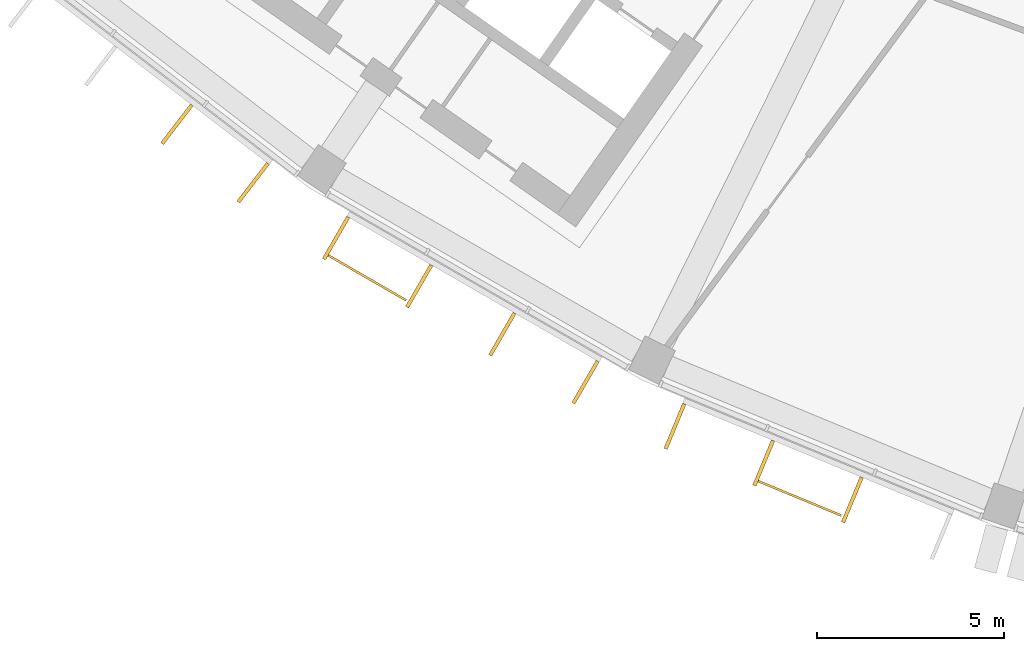
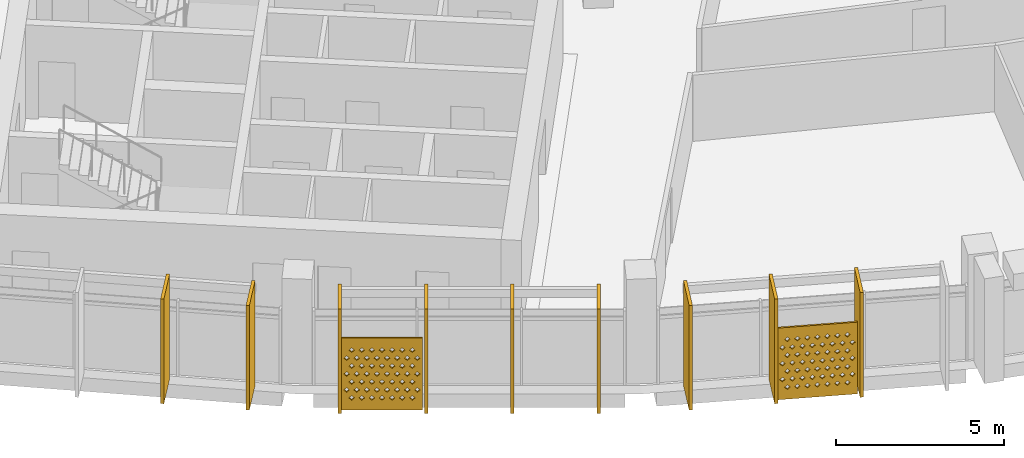
# One storey, part 22 of 27: 11 shading devices.
"""IFC4 building model written with IfcOpenShell, lengths in metres."""

from ifc_helpers import new_model, si_unit, direction, frame, origin, origin_2d, place, context, subcontext, project, spatial, polyline, rectangle, outline, extrude, material, material_profile, profile_set, type_object, element, save


model = new_model("IFC4")

# Units and contexts
model_context = context("Model", 3, precision=1e-05, world=origin(), true_north=direction((0.0, 1.0)))
body_context = subcontext(model_context, "Body", "Model", "MODEL_VIEW")
ifc_project = project(units=[si_unit("LENGTHUNIT", "METRE"), si_unit("AREAUNIT", "SQUARE_METRE"), si_unit("VOLUMEUNIT", "CUBIC_METRE"), si_unit("PLANEANGLEUNIT", "RADIAN"), si_unit("MASSUNIT", "GRAM", prefix="KILO")], contexts=[model_context])

# Site, building, storey
site_placement = place(None, origin())
site = spatial("IfcSite", under=ifc_project, at=site_placement, CompositionType="ELEMENT")
building_placement = place(site_placement, origin())
building = spatial("IfcBuilding", under=site, at=building_placement, Name="Qamariyya Broadcast Tower", CompositionType="ELEMENT")
storey_placement = place(building_placement, frame((0.0, 0.0, 280.89990234375)))
storey = spatial("IfcBuildingStorey", under=building, at=storey_placement, Name="L68", CompositionType="ELEMENT", Elevation=280.89990234375)

# Shading devices
ifc_material_1 = material(Name="Perforated glazed terracotta", Category="masonry")
ifc_material_profile_1 = material_profile(ifc_material_1, outline(polyline([(-1.199951171875, -1.300048828125), (1.199951171875, -1.300048828125), (1.199951171875, 1.300048828125), (-1.199951171875, 1.300048828125), (-1.199951171875, -1.300048828125)]), holes=[polyline([(-0.81494140625, -0.86669921875), (-0.89990234375, -0.78173828125), (-0.985107421875, -0.86669921875), (-0.89990234375, -0.95166015625), (-0.81494140625, -0.86669921875)]), polyline([(-0.514892578125, -0.86669921875), (-0.60009765625, -0.78173828125), (-0.68505859375, -0.86669921875), (-0.60009765625, -0.95166015625), (-0.514892578125, -0.86669921875)]), polyline([(-0.215087890625, -0.86669921875), (-0.300048828125, -0.78173828125), (-0.385009765625, -0.86669921875), (-0.300048828125, -0.95166015625), (-0.215087890625, -0.86669921875)]), polyline([(0.0849609375, -0.86669921875), (0.0, -0.78173828125), (-0.0849609375, -0.86669921875), (0.0, -0.95166015625), (0.0849609375, -0.86669921875)]), polyline([(0.385009765625, -0.86669921875), (0.300048828125, -0.78173828125), (0.215087890625, -0.86669921875), (0.300048828125, -0.95166015625), (0.385009765625, -0.86669921875)]), polyline([(0.68505859375, -0.86669921875), (0.60009765625, -0.78173828125), (0.514892578125, -0.86669921875), (0.60009765625, -0.95166015625), (0.68505859375, -0.86669921875)]), polyline([(0.985107421875, -0.86669921875), (0.89990234375, -0.78173828125), (0.81494140625, -0.86669921875), (0.89990234375, -0.95166015625), (0.985107421875, -0.86669921875)]), polyline([(-0.965087890625, -0.577880859375), (-1.050048828125, -0.49267578125), (-1.135009765625, -0.577880859375), (-1.050048828125, -0.662841796875), (-0.965087890625, -0.577880859375)]), polyline([(-0.6650390625, -0.577880859375), (-0.75, -0.49267578125), (-0.8349609375, -0.577880859375), (-0.75, -0.662841796875), (-0.6650390625, -0.577880859375)]), polyline([(-0.364990234375, -0.577880859375), (-0.449951171875, -0.49267578125), (-0.534912109375, -0.577880859375), (-0.449951171875, -0.662841796875), (-0.364990234375, -0.577880859375)]), polyline([(-0.06494140625, -0.577880859375), (-0.14990234375, -0.49267578125), (-0.235107421875, -0.577880859375), (-0.14990234375, -0.662841796875), (-0.06494140625, -0.577880859375)]), polyline([(0.235107421875, -0.577880859375), (0.14990234375, -0.49267578125), (0.06494140625, -0.577880859375), (0.14990234375, -0.662841796875), (0.235107421875, -0.577880859375)]), polyline([(0.534912109375, -0.577880859375), (0.449951171875, -0.49267578125), (0.364990234375, -0.577880859375), (0.449951171875, -0.662841796875), (0.534912109375, -0.577880859375)]), polyline([(0.8349609375, -0.577880859375), (0.75, -0.49267578125), (0.6650390625, -0.577880859375), (0.75, -0.662841796875), (0.8349609375, -0.577880859375)]), polyline([(1.135009765625, -0.577880859375), (1.050048828125, -0.49267578125), (0.965087890625, -0.577880859375), (1.050048828125, -0.662841796875), (1.135009765625, -0.577880859375)]), polyline([(-0.81494140625, -0.288818359375), (-0.89990234375, -0.203857421875), (-0.985107421875, -0.288818359375), (-0.89990234375, -0.373779296875), (-0.81494140625, -0.288818359375)]), polyline([(-0.514892578125, -0.288818359375), (-0.60009765625, -0.203857421875), (-0.68505859375, -0.288818359375), (-0.60009765625, -0.373779296875), (-0.514892578125, -0.288818359375)]), polyline([(-0.215087890625, -0.288818359375), (-0.300048828125, -0.203857421875), (-0.385009765625, -0.288818359375), (-0.300048828125, -0.373779296875), (-0.215087890625, -0.288818359375)]), polyline([(0.0849609375, -0.288818359375), (0.0, -0.203857421875), (-0.0849609375, -0.288818359375), (0.0, -0.373779296875), (0.0849609375, -0.288818359375)]), polyline([(0.385009765625, -0.288818359375), (0.300048828125, -0.203857421875), (0.215087890625, -0.288818359375), (0.300048828125, -0.373779296875), (0.385009765625, -0.288818359375)]), polyline([(0.68505859375, -0.288818359375), (0.60009765625, -0.203857421875), (0.514892578125, -0.288818359375), (0.60009765625, -0.373779296875), (0.68505859375, -0.288818359375)]), polyline([(0.985107421875, -0.288818359375), (0.89990234375, -0.203857421875), (0.81494140625, -0.288818359375), (0.89990234375, -0.373779296875), (0.985107421875, -0.288818359375)]), polyline([(-0.965087890625, 0.0), (-1.050048828125, 0.0849609375), (-1.135009765625, 0.0), (-1.050048828125, -0.0849609375), (-0.965087890625, 0.0)]), polyline([(-0.6650390625, 0.0), (-0.75, 0.0849609375), (-0.8349609375, 0.0), (-0.75, -0.0849609375), (-0.6650390625, 0.0)]), polyline([(-0.364990234375, 0.0), (-0.449951171875, 0.0849609375), (-0.534912109375, 0.0), (-0.449951171875, -0.0849609375), (-0.364990234375, 0.0)]), polyline([(-0.06494140625, 0.0), (-0.14990234375, 0.0849609375), (-0.235107421875, 0.0), (-0.14990234375, -0.0849609375), (-0.06494140625, 0.0)]), polyline([(0.235107421875, 0.0), (0.14990234375, 0.0849609375), (0.06494140625, 0.0), (0.14990234375, -0.0849609375), (0.235107421875, 0.0)]), polyline([(0.534912109375, 0.0), (0.449951171875, 0.0849609375), (0.364990234375, 0.0), (0.449951171875, -0.0849609375), (0.534912109375, 0.0)]), polyline([(0.8349609375, 0.0), (0.75, 0.0849609375), (0.6650390625, 0.0), (0.75, -0.0849609375), (0.8349609375, 0.0)]), polyline([(1.135009765625, 0.0), (1.050048828125, 0.0849609375), (0.965087890625, 0.0), (1.050048828125, -0.0849609375), (1.135009765625, 0.0)]), polyline([(-0.81494140625, 0.288818359375), (-0.89990234375, 0.373779296875), (-0.985107421875, 0.288818359375), (-0.89990234375, 0.203857421875), (-0.81494140625, 0.288818359375)]), polyline([(-0.514892578125, 0.288818359375), (-0.60009765625, 0.373779296875), (-0.68505859375, 0.288818359375), (-0.60009765625, 0.203857421875), (-0.514892578125, 0.288818359375)]), polyline([(-0.215087890625, 0.288818359375), (-0.300048828125, 0.373779296875), (-0.385009765625, 0.288818359375), (-0.300048828125, 0.203857421875), (-0.215087890625, 0.288818359375)]), polyline([(0.0849609375, 0.288818359375), (0.0, 0.373779296875), (-0.0849609375, 0.288818359375), (0.0, 0.203857421875), (0.0849609375, 0.288818359375)]), polyline([(0.385009765625, 0.288818359375), (0.300048828125, 0.373779296875), (0.215087890625, 0.288818359375), (0.300048828125, 0.203857421875), (0.385009765625, 0.288818359375)]), polyline([(0.68505859375, 0.288818359375), (0.60009765625, 0.373779296875), (0.514892578125, 0.288818359375), (0.60009765625, 0.203857421875), (0.68505859375, 0.288818359375)]), polyline([(0.985107421875, 0.288818359375), (0.89990234375, 0.373779296875), (0.81494140625, 0.288818359375), (0.89990234375, 0.203857421875), (0.985107421875, 0.288818359375)]), polyline([(-0.965087890625, 0.577880859375), (-1.050048828125, 0.662841796875), (-1.135009765625, 0.577880859375), (-1.050048828125, 0.49267578125), (-0.965087890625, 0.577880859375)]), polyline([(-0.6650390625, 0.577880859375), (-0.75, 0.662841796875), (-0.8349609375, 0.577880859375), (-0.75, 0.49267578125), (-0.6650390625, 0.577880859375)]), polyline([(-0.364990234375, 0.577880859375), (-0.449951171875, 0.662841796875), (-0.534912109375, 0.577880859375), (-0.449951171875, 0.49267578125), (-0.364990234375, 0.577880859375)]), polyline([(-0.06494140625, 0.577880859375), (-0.14990234375, 0.662841796875), (-0.235107421875, 0.577880859375), (-0.14990234375, 0.49267578125), (-0.06494140625, 0.577880859375)]), polyline([(0.235107421875, 0.577880859375), (0.14990234375, 0.662841796875), (0.06494140625, 0.577880859375), (0.14990234375, 0.49267578125), (0.235107421875, 0.577880859375)]), polyline([(0.534912109375, 0.577880859375), (0.449951171875, 0.662841796875), (0.364990234375, 0.577880859375), (0.449951171875, 0.49267578125), (0.534912109375, 0.577880859375)]), polyline([(0.8349609375, 0.577880859375), (0.75, 0.662841796875), (0.6650390625, 0.577880859375), (0.75, 0.49267578125), (0.8349609375, 0.577880859375)]), polyline([(1.135009765625, 0.577880859375), (1.050048828125, 0.662841796875), (0.965087890625, 0.577880859375), (1.050048828125, 0.49267578125), (1.135009765625, 0.577880859375)]), polyline([(-0.81494140625, 0.86669921875), (-0.89990234375, 0.95166015625), (-0.985107421875, 0.86669921875), (-0.89990234375, 0.78173828125), (-0.81494140625, 0.86669921875)]), polyline([(-0.514892578125, 0.86669921875), (-0.60009765625, 0.95166015625), (-0.68505859375, 0.86669921875), (-0.60009765625, 0.78173828125), (-0.514892578125, 0.86669921875)]), polyline([(-0.215087890625, 0.86669921875), (-0.300048828125, 0.95166015625), (-0.385009765625, 0.86669921875), (-0.300048828125, 0.78173828125), (-0.215087890625, 0.86669921875)]), polyline([(0.0849609375, 0.86669921875), (0.0, 0.95166015625), (-0.0849609375, 0.86669921875), (0.0, 0.78173828125), (0.0849609375, 0.86669921875)]), polyline([(0.385009765625, 0.86669921875), (0.300048828125, 0.95166015625), (0.215087890625, 0.86669921875), (0.300048828125, 0.78173828125), (0.385009765625, 0.86669921875)]), polyline([(0.68505859375, 0.86669921875), (0.60009765625, 0.95166015625), (0.514892578125, 0.86669921875), (0.60009765625, 0.78173828125), (0.68505859375, 0.86669921875)]), polyline([(0.985107421875, 0.86669921875), (0.89990234375, 0.95166015625), (0.81494140625, 0.86669921875), (0.89990234375, 0.78173828125), (0.985107421875, 0.86669921875)])]))
ifc_profile_set_1 = profile_set([ifc_material_profile_1], Name="Perforated glazed terracotta")
shading_device_type_1 = type_object("IfcShadingDeviceType", Name="Perforated terracotta screen 2400 x 2600", PredefinedType="USERDEFINED", material=ifc_profile_set_1)
shading_device_1_placement = place(storey_placement, frame((-41.971923828125, -67.510986328125, 1.35009765625), z_axis=(-0.500074377092, -0.865982457891, 0.0), x_axis=(0.865982457891, -0.500074377092, 0.0)))
element("IfcShadingDevice", 1, at=shading_device_1_placement, inside=storey, type_object=shading_device_type_1, Name="e-scr-L68-03-0", ObjectType="SCREEN", PredefinedType="USERDEFINED", context=body_context, shape_type="SweptSolid", body=[
    extrude(outline(polyline([(-1.199951171875, -1.300048828125), (1.199951171875, -1.300048828125), (1.199951171875, 1.300048828125), (-1.199951171875, 1.300048828125), (-1.199951171875, -1.300048828125)]), holes=[polyline([(-0.81494140625, -0.86669921875), (-0.89990234375, -0.78173828125), (-0.985107421875, -0.86669921875), (-0.89990234375, -0.95166015625), (-0.81494140625, -0.86669921875)]), polyline([(-0.514892578125, -0.86669921875), (-0.60009765625, -0.78173828125), (-0.68505859375, -0.86669921875), (-0.60009765625, -0.95166015625), (-0.514892578125, -0.86669921875)]), polyline([(-0.215087890625, -0.86669921875), (-0.300048828125, -0.78173828125), (-0.385009765625, -0.86669921875), (-0.300048828125, -0.95166015625), (-0.215087890625, -0.86669921875)]), polyline([(0.0849609375, -0.86669921875), (0.0, -0.78173828125), (-0.0849609375, -0.86669921875), (0.0, -0.95166015625), (0.0849609375, -0.86669921875)]), polyline([(0.385009765625, -0.86669921875), (0.300048828125, -0.78173828125), (0.215087890625, -0.86669921875), (0.300048828125, -0.95166015625), (0.385009765625, -0.86669921875)]), polyline([(0.68505859375, -0.86669921875), (0.60009765625, -0.78173828125), (0.514892578125, -0.86669921875), (0.60009765625, -0.95166015625), (0.68505859375, -0.86669921875)]), polyline([(0.985107421875, -0.86669921875), (0.89990234375, -0.78173828125), (0.81494140625, -0.86669921875), (0.89990234375, -0.95166015625), (0.985107421875, -0.86669921875)]), polyline([(-0.965087890625, -0.577880859375), (-1.050048828125, -0.49267578125), (-1.135009765625, -0.577880859375), (-1.050048828125, -0.662841796875), (-0.965087890625, -0.577880859375)]), polyline([(-0.6650390625, -0.577880859375), (-0.75, -0.49267578125), (-0.8349609375, -0.577880859375), (-0.75, -0.662841796875), (-0.6650390625, -0.577880859375)]), polyline([(-0.364990234375, -0.577880859375), (-0.449951171875, -0.49267578125), (-0.534912109375, -0.577880859375), (-0.449951171875, -0.662841796875), (-0.364990234375, -0.577880859375)]), polyline([(-0.06494140625, -0.577880859375), (-0.14990234375, -0.49267578125), (-0.235107421875, -0.577880859375), (-0.14990234375, -0.662841796875), (-0.06494140625, -0.577880859375)]), polyline([(0.235107421875, -0.577880859375), (0.14990234375, -0.49267578125), (0.06494140625, -0.577880859375), (0.14990234375, -0.662841796875), (0.235107421875, -0.577880859375)]), polyline([(0.534912109375, -0.577880859375), (0.449951171875, -0.49267578125), (0.364990234375, -0.577880859375), (0.449951171875, -0.662841796875), (0.534912109375, -0.577880859375)]), polyline([(0.8349609375, -0.577880859375), (0.75, -0.49267578125), (0.6650390625, -0.577880859375), (0.75, -0.662841796875), (0.8349609375, -0.577880859375)]), polyline([(1.135009765625, -0.577880859375), (1.050048828125, -0.49267578125), (0.965087890625, -0.577880859375), (1.050048828125, -0.662841796875), (1.135009765625, -0.577880859375)]), polyline([(-0.81494140625, -0.288818359375), (-0.89990234375, -0.203857421875), (-0.985107421875, -0.288818359375), (-0.89990234375, -0.373779296875), (-0.81494140625, -0.288818359375)]), polyline([(-0.514892578125, -0.288818359375), (-0.60009765625, -0.203857421875), (-0.68505859375, -0.288818359375), (-0.60009765625, -0.373779296875), (-0.514892578125, -0.288818359375)]), polyline([(-0.215087890625, -0.288818359375), (-0.300048828125, -0.203857421875), (-0.385009765625, -0.288818359375), (-0.300048828125, -0.373779296875), (-0.215087890625, -0.288818359375)]), polyline([(0.0849609375, -0.288818359375), (0.0, -0.203857421875), (-0.0849609375, -0.288818359375), (0.0, -0.373779296875), (0.0849609375, -0.288818359375)]), polyline([(0.385009765625, -0.288818359375), (0.300048828125, -0.203857421875), (0.215087890625, -0.288818359375), (0.300048828125, -0.373779296875), (0.385009765625, -0.288818359375)]), polyline([(0.68505859375, -0.288818359375), (0.60009765625, -0.203857421875), (0.514892578125, -0.288818359375), (0.60009765625, -0.373779296875), (0.68505859375, -0.288818359375)]), polyline([(0.985107421875, -0.288818359375), (0.89990234375, -0.203857421875), (0.81494140625, -0.288818359375), (0.89990234375, -0.373779296875), (0.985107421875, -0.288818359375)]), polyline([(-0.965087890625, 0.0), (-1.050048828125, 0.0849609375), (-1.135009765625, 0.0), (-1.050048828125, -0.0849609375), (-0.965087890625, 0.0)]), polyline([(-0.6650390625, 0.0), (-0.75, 0.0849609375), (-0.8349609375, 0.0), (-0.75, -0.0849609375), (-0.6650390625, 0.0)]), polyline([(-0.364990234375, 0.0), (-0.449951171875, 0.0849609375), (-0.534912109375, 0.0), (-0.449951171875, -0.0849609375), (-0.364990234375, 0.0)]), polyline([(-0.06494140625, 0.0), (-0.14990234375, 0.0849609375), (-0.235107421875, 0.0), (-0.14990234375, -0.0849609375), (-0.06494140625, 0.0)]), polyline([(0.235107421875, 0.0), (0.14990234375, 0.0849609375), (0.06494140625, 0.0), (0.14990234375, -0.0849609375), (0.235107421875, 0.0)]), polyline([(0.534912109375, 0.0), (0.449951171875, 0.0849609375), (0.364990234375, 0.0), (0.449951171875, -0.0849609375), (0.534912109375, 0.0)]), polyline([(0.8349609375, 0.0), (0.75, 0.0849609375), (0.6650390625, 0.0), (0.75, -0.0849609375), (0.8349609375, 0.0)]), polyline([(1.135009765625, 0.0), (1.050048828125, 0.0849609375), (0.965087890625, 0.0), (1.050048828125, -0.0849609375), (1.135009765625, 0.0)]), polyline([(-0.81494140625, 0.288818359375), (-0.89990234375, 0.373779296875), (-0.985107421875, 0.288818359375), (-0.89990234375, 0.203857421875), (-0.81494140625, 0.288818359375)]), polyline([(-0.514892578125, 0.288818359375), (-0.60009765625, 0.373779296875), (-0.68505859375, 0.288818359375), (-0.60009765625, 0.203857421875), (-0.514892578125, 0.288818359375)]), polyline([(-0.215087890625, 0.288818359375), (-0.300048828125, 0.373779296875), (-0.385009765625, 0.288818359375), (-0.300048828125, 0.203857421875), (-0.215087890625, 0.288818359375)]), polyline([(0.0849609375, 0.288818359375), (0.0, 0.373779296875), (-0.0849609375, 0.288818359375), (0.0, 0.203857421875), (0.0849609375, 0.288818359375)]), polyline([(0.385009765625, 0.288818359375), (0.300048828125, 0.373779296875), (0.215087890625, 0.288818359375), (0.300048828125, 0.203857421875), (0.385009765625, 0.288818359375)]), polyline([(0.68505859375, 0.288818359375), (0.60009765625, 0.373779296875), (0.514892578125, 0.288818359375), (0.60009765625, 0.203857421875), (0.68505859375, 0.288818359375)]), polyline([(0.985107421875, 0.288818359375), (0.89990234375, 0.373779296875), (0.81494140625, 0.288818359375), (0.89990234375, 0.203857421875), (0.985107421875, 0.288818359375)]), polyline([(-0.965087890625, 0.577880859375), (-1.050048828125, 0.662841796875), (-1.135009765625, 0.577880859375), (-1.050048828125, 0.49267578125), (-0.965087890625, 0.577880859375)]), polyline([(-0.6650390625, 0.577880859375), (-0.75, 0.662841796875), (-0.8349609375, 0.577880859375), (-0.75, 0.49267578125), (-0.6650390625, 0.577880859375)]), polyline([(-0.364990234375, 0.577880859375), (-0.449951171875, 0.662841796875), (-0.534912109375, 0.577880859375), (-0.449951171875, 0.49267578125), (-0.364990234375, 0.577880859375)]), polyline([(-0.06494140625, 0.577880859375), (-0.14990234375, 0.662841796875), (-0.235107421875, 0.577880859375), (-0.14990234375, 0.49267578125), (-0.06494140625, 0.577880859375)]), polyline([(0.235107421875, 0.577880859375), (0.14990234375, 0.662841796875), (0.06494140625, 0.577880859375), (0.14990234375, 0.49267578125), (0.235107421875, 0.577880859375)]), polyline([(0.534912109375, 0.577880859375), (0.449951171875, 0.662841796875), (0.364990234375, 0.577880859375), (0.449951171875, 0.49267578125), (0.534912109375, 0.577880859375)]), polyline([(0.8349609375, 0.577880859375), (0.75, 0.662841796875), (0.6650390625, 0.577880859375), (0.75, 0.49267578125), (0.8349609375, 0.577880859375)]), polyline([(1.135009765625, 0.577880859375), (1.050048828125, 0.662841796875), (0.965087890625, 0.577880859375), (1.050048828125, 0.49267578125), (1.135009765625, 0.577880859375)]), polyline([(-0.81494140625, 0.86669921875), (-0.89990234375, 0.95166015625), (-0.985107421875, 0.86669921875), (-0.89990234375, 0.78173828125), (-0.81494140625, 0.86669921875)]), polyline([(-0.514892578125, 0.86669921875), (-0.60009765625, 0.95166015625), (-0.68505859375, 0.86669921875), (-0.60009765625, 0.78173828125), (-0.514892578125, 0.86669921875)]), polyline([(-0.215087890625, 0.86669921875), (-0.300048828125, 0.95166015625), (-0.385009765625, 0.86669921875), (-0.300048828125, 0.78173828125), (-0.215087890625, 0.86669921875)]), polyline([(0.0849609375, 0.86669921875), (0.0, 0.95166015625), (-0.0849609375, 0.86669921875), (0.0, 0.78173828125), (0.0849609375, 0.86669921875)]), polyline([(0.385009765625, 0.86669921875), (0.300048828125, 0.95166015625), (0.215087890625, 0.86669921875), (0.300048828125, 0.78173828125), (0.385009765625, 0.86669921875)]), polyline([(0.68505859375, 0.86669921875), (0.60009765625, 0.95166015625), (0.514892578125, 0.86669921875), (0.60009765625, 0.78173828125), (0.68505859375, 0.86669921875)]), polyline([(0.985107421875, 0.86669921875), (0.89990234375, 0.95166015625), (0.81494140625, 0.86669921875), (0.89990234375, 0.78173828125), (0.985107421875, 0.86669921875)])]), origin(), (0.0, 0.0, 1.0), 0.06005859375),
])
shading_device_2_placement = place(storey_placement, frame((-30.433837890625, -73.392333984375, 1.35009765625), z_axis=(-0.382591441855, -0.923917630863, 0.0), x_axis=(0.923917630863, -0.382591441855, 0.0)))
element("IfcShadingDevice", 2, at=shading_device_2_placement, inside=storey, type_object=shading_device_type_1, Name="e-scr-L68-04-1", ObjectType="SCREEN", PredefinedType="USERDEFINED", context=body_context, shape_type="SweptSolid", body=[
    extrude(outline(polyline([(-1.199951171875, -1.300048828125), (1.199951171875, -1.300048828125), (1.199951171875, 1.300048828125), (-1.199951171875, 1.300048828125), (-1.199951171875, -1.300048828125)]), holes=[polyline([(-0.81494140625, -0.86669921875), (-0.89990234375, -0.78173828125), (-0.985107421875, -0.86669921875), (-0.89990234375, -0.95166015625), (-0.81494140625, -0.86669921875)]), polyline([(-0.514892578125, -0.86669921875), (-0.60009765625, -0.78173828125), (-0.68505859375, -0.86669921875), (-0.60009765625, -0.95166015625), (-0.514892578125, -0.86669921875)]), polyline([(-0.215087890625, -0.86669921875), (-0.300048828125, -0.78173828125), (-0.385009765625, -0.86669921875), (-0.300048828125, -0.95166015625), (-0.215087890625, -0.86669921875)]), polyline([(0.0849609375, -0.86669921875), (0.0, -0.78173828125), (-0.0849609375, -0.86669921875), (0.0, -0.95166015625), (0.0849609375, -0.86669921875)]), polyline([(0.385009765625, -0.86669921875), (0.300048828125, -0.78173828125), (0.215087890625, -0.86669921875), (0.300048828125, -0.95166015625), (0.385009765625, -0.86669921875)]), polyline([(0.68505859375, -0.86669921875), (0.60009765625, -0.78173828125), (0.514892578125, -0.86669921875), (0.60009765625, -0.95166015625), (0.68505859375, -0.86669921875)]), polyline([(0.985107421875, -0.86669921875), (0.89990234375, -0.78173828125), (0.81494140625, -0.86669921875), (0.89990234375, -0.95166015625), (0.985107421875, -0.86669921875)]), polyline([(-0.965087890625, -0.577880859375), (-1.050048828125, -0.49267578125), (-1.135009765625, -0.577880859375), (-1.050048828125, -0.662841796875), (-0.965087890625, -0.577880859375)]), polyline([(-0.6650390625, -0.577880859375), (-0.75, -0.49267578125), (-0.8349609375, -0.577880859375), (-0.75, -0.662841796875), (-0.6650390625, -0.577880859375)]), polyline([(-0.364990234375, -0.577880859375), (-0.449951171875, -0.49267578125), (-0.534912109375, -0.577880859375), (-0.449951171875, -0.662841796875), (-0.364990234375, -0.577880859375)]), polyline([(-0.06494140625, -0.577880859375), (-0.14990234375, -0.49267578125), (-0.235107421875, -0.577880859375), (-0.14990234375, -0.662841796875), (-0.06494140625, -0.577880859375)]), polyline([(0.235107421875, -0.577880859375), (0.14990234375, -0.49267578125), (0.06494140625, -0.577880859375), (0.14990234375, -0.662841796875), (0.235107421875, -0.577880859375)]), polyline([(0.534912109375, -0.577880859375), (0.449951171875, -0.49267578125), (0.364990234375, -0.577880859375), (0.449951171875, -0.662841796875), (0.534912109375, -0.577880859375)]), polyline([(0.8349609375, -0.577880859375), (0.75, -0.49267578125), (0.6650390625, -0.577880859375), (0.75, -0.662841796875), (0.8349609375, -0.577880859375)]), polyline([(1.135009765625, -0.577880859375), (1.050048828125, -0.49267578125), (0.965087890625, -0.577880859375), (1.050048828125, -0.662841796875), (1.135009765625, -0.577880859375)]), polyline([(-0.81494140625, -0.288818359375), (-0.89990234375, -0.203857421875), (-0.985107421875, -0.288818359375), (-0.89990234375, -0.373779296875), (-0.81494140625, -0.288818359375)]), polyline([(-0.514892578125, -0.288818359375), (-0.60009765625, -0.203857421875), (-0.68505859375, -0.288818359375), (-0.60009765625, -0.373779296875), (-0.514892578125, -0.288818359375)]), polyline([(-0.215087890625, -0.288818359375), (-0.300048828125, -0.203857421875), (-0.385009765625, -0.288818359375), (-0.300048828125, -0.373779296875), (-0.215087890625, -0.288818359375)]), polyline([(0.0849609375, -0.288818359375), (0.0, -0.203857421875), (-0.0849609375, -0.288818359375), (0.0, -0.373779296875), (0.0849609375, -0.288818359375)]), polyline([(0.385009765625, -0.288818359375), (0.300048828125, -0.203857421875), (0.215087890625, -0.288818359375), (0.300048828125, -0.373779296875), (0.385009765625, -0.288818359375)]), polyline([(0.68505859375, -0.288818359375), (0.60009765625, -0.203857421875), (0.514892578125, -0.288818359375), (0.60009765625, -0.373779296875), (0.68505859375, -0.288818359375)]), polyline([(0.985107421875, -0.288818359375), (0.89990234375, -0.203857421875), (0.81494140625, -0.288818359375), (0.89990234375, -0.373779296875), (0.985107421875, -0.288818359375)]), polyline([(-0.965087890625, 0.0), (-1.050048828125, 0.0849609375), (-1.135009765625, 0.0), (-1.050048828125, -0.0849609375), (-0.965087890625, 0.0)]), polyline([(-0.6650390625, 0.0), (-0.75, 0.0849609375), (-0.8349609375, 0.0), (-0.75, -0.0849609375), (-0.6650390625, 0.0)]), polyline([(-0.364990234375, 0.0), (-0.449951171875, 0.0849609375), (-0.534912109375, 0.0), (-0.449951171875, -0.0849609375), (-0.364990234375, 0.0)]), polyline([(-0.06494140625, 0.0), (-0.14990234375, 0.0849609375), (-0.235107421875, 0.0), (-0.14990234375, -0.0849609375), (-0.06494140625, 0.0)]), polyline([(0.235107421875, 0.0), (0.14990234375, 0.0849609375), (0.06494140625, 0.0), (0.14990234375, -0.0849609375), (0.235107421875, 0.0)]), polyline([(0.534912109375, 0.0), (0.449951171875, 0.0849609375), (0.364990234375, 0.0), (0.449951171875, -0.0849609375), (0.534912109375, 0.0)]), polyline([(0.8349609375, 0.0), (0.75, 0.0849609375), (0.6650390625, 0.0), (0.75, -0.0849609375), (0.8349609375, 0.0)]), polyline([(1.135009765625, 0.0), (1.050048828125, 0.0849609375), (0.965087890625, 0.0), (1.050048828125, -0.0849609375), (1.135009765625, 0.0)]), polyline([(-0.81494140625, 0.288818359375), (-0.89990234375, 0.373779296875), (-0.985107421875, 0.288818359375), (-0.89990234375, 0.203857421875), (-0.81494140625, 0.288818359375)]), polyline([(-0.514892578125, 0.288818359375), (-0.60009765625, 0.373779296875), (-0.68505859375, 0.288818359375), (-0.60009765625, 0.203857421875), (-0.514892578125, 0.288818359375)]), polyline([(-0.215087890625, 0.288818359375), (-0.300048828125, 0.373779296875), (-0.385009765625, 0.288818359375), (-0.300048828125, 0.203857421875), (-0.215087890625, 0.288818359375)]), polyline([(0.0849609375, 0.288818359375), (0.0, 0.373779296875), (-0.0849609375, 0.288818359375), (0.0, 0.203857421875), (0.0849609375, 0.288818359375)]), polyline([(0.385009765625, 0.288818359375), (0.300048828125, 0.373779296875), (0.215087890625, 0.288818359375), (0.300048828125, 0.203857421875), (0.385009765625, 0.288818359375)]), polyline([(0.68505859375, 0.288818359375), (0.60009765625, 0.373779296875), (0.514892578125, 0.288818359375), (0.60009765625, 0.203857421875), (0.68505859375, 0.288818359375)]), polyline([(0.985107421875, 0.288818359375), (0.89990234375, 0.373779296875), (0.81494140625, 0.288818359375), (0.89990234375, 0.203857421875), (0.985107421875, 0.288818359375)]), polyline([(-0.965087890625, 0.577880859375), (-1.050048828125, 0.662841796875), (-1.135009765625, 0.577880859375), (-1.050048828125, 0.49267578125), (-0.965087890625, 0.577880859375)]), polyline([(-0.6650390625, 0.577880859375), (-0.75, 0.662841796875), (-0.8349609375, 0.577880859375), (-0.75, 0.49267578125), (-0.6650390625, 0.577880859375)]), polyline([(-0.364990234375, 0.577880859375), (-0.449951171875, 0.662841796875), (-0.534912109375, 0.577880859375), (-0.449951171875, 0.49267578125), (-0.364990234375, 0.577880859375)]), polyline([(-0.06494140625, 0.577880859375), (-0.14990234375, 0.662841796875), (-0.235107421875, 0.577880859375), (-0.14990234375, 0.49267578125), (-0.06494140625, 0.577880859375)]), polyline([(0.235107421875, 0.577880859375), (0.14990234375, 0.662841796875), (0.06494140625, 0.577880859375), (0.14990234375, 0.49267578125), (0.235107421875, 0.577880859375)]), polyline([(0.534912109375, 0.577880859375), (0.449951171875, 0.662841796875), (0.364990234375, 0.577880859375), (0.449951171875, 0.49267578125), (0.534912109375, 0.577880859375)]), polyline([(0.8349609375, 0.577880859375), (0.75, 0.662841796875), (0.6650390625, 0.577880859375), (0.75, 0.49267578125), (0.8349609375, 0.577880859375)]), polyline([(1.135009765625, 0.577880859375), (1.050048828125, 0.662841796875), (0.965087890625, 0.577880859375), (1.050048828125, 0.49267578125), (1.135009765625, 0.577880859375)]), polyline([(-0.81494140625, 0.86669921875), (-0.89990234375, 0.95166015625), (-0.985107421875, 0.86669921875), (-0.89990234375, 0.78173828125), (-0.81494140625, 0.86669921875)]), polyline([(-0.514892578125, 0.86669921875), (-0.60009765625, 0.95166015625), (-0.68505859375, 0.86669921875), (-0.60009765625, 0.78173828125), (-0.514892578125, 0.86669921875)]), polyline([(-0.215087890625, 0.86669921875), (-0.300048828125, 0.95166015625), (-0.385009765625, 0.86669921875), (-0.300048828125, 0.78173828125), (-0.215087890625, 0.86669921875)]), polyline([(0.0849609375, 0.86669921875), (0.0, 0.95166015625), (-0.0849609375, 0.86669921875), (0.0, 0.78173828125), (0.0849609375, 0.86669921875)]), polyline([(0.385009765625, 0.86669921875), (0.300048828125, 0.95166015625), (0.215087890625, 0.86669921875), (0.300048828125, 0.78173828125), (0.385009765625, 0.86669921875)]), polyline([(0.68505859375, 0.86669921875), (0.60009765625, 0.95166015625), (0.514892578125, 0.86669921875), (0.60009765625, 0.78173828125), (0.68505859375, 0.86669921875)]), polyline([(0.985107421875, 0.86669921875), (0.89990234375, 0.95166015625), (0.81494140625, 0.86669921875), (0.89990234375, 0.78173828125), (0.985107421875, 0.86669921875)])]), origin(), (0.0, 0.0, 1.0), 0.06005859375),
])
ifc_material_2 = material(Name="Glazed terracotta", Category="masonry")
ifc_material_profile_2 = material_profile(ifc_material_2, rectangle(XDim=1.300048828125, YDim=0.10009765625, at=origin_2d()))
ifc_profile_set_2 = profile_set([ifc_material_profile_2], Name="Glazed terracotta")
shading_device_type_2 = type_object("IfcShadingDeviceType", Name="Terracotta fin 100 x 1300", PredefinedType="USERDEFINED", material=ifc_profile_set_2)
for number, where, z_axis, x_axis, name in (
    (3, (-47.06494140625, -63.440673828125, 0.0), (0.0, 0.0, 1.0), (-0.608761429009, -0.793353340291, 0.0), "e-fin-L68-02-2"),
    (4, (-45.0322265625, -65.00048828125, 0.0), (0.0, 0.0, 1.0), (-0.608761429009, -0.793353340291, 0.0), "e-fin-L68-02-3"),
    (5, (-42.819580078125, -66.47900390625, 0.0), (0.0, 0.0, 1.0), (-0.5, -0.866025403784, 0.0), "e-fin-L68-03-0"),
    (6, (-40.6005859375, -67.760009765625, 0.0), (0.0, 0.0, 1.0), (-0.5, -0.866025403784, 0.0), "e-fin-L68-03-1"),
    (7, (-38.381591796875, -69.041259765625, 0.0), (0.0, 0.0, 1.0), (-0.5, -0.866025403784, 0.0), "e-fin-L68-03-2"),
    (8, (-36.162841796875, -70.322265625, 0.0), (0.0, 0.0, 1.0), (-0.5, -0.866025403784, 0.0), "e-fin-L68-03-3"),
    (9, (-33.77587890625, -71.499267578125, 0.0), (0.0, 0.0, 1.0), (-0.382683432365, -0.923879532511, 0.0), "e-fin-L68-04-0"),
    (10, (-31.40869140625, -72.479736328125, 0.0), (0.0, 0.0, 1.0), (-0.382683432365, -0.923879532511, 0.0), "e-fin-L68-04-1"),
    (11, (-29.041748046875, -73.46044921875, 0.0), (0.0, 0.0, 1.0), (-0.382683432365, -0.923879532511, 0.0), "e-fin-L68-04-2"),
):
    element("IfcShadingDevice", number, at=place(storey_placement, frame(where, z_axis=z_axis, x_axis=x_axis)), inside=storey, type_object=shading_device_type_2, Name=name, ObjectType="FIN", PredefinedType="USERDEFINED", context=body_context, shape_type="SweptSolid", body=[
        extrude(rectangle(XDim=1.300048828125, YDim=0.10009765625, at=origin_2d()), origin(), (0.0, 0.0, 1.0), 3.800048828125),
    ])

save(model, "model.ifc")
